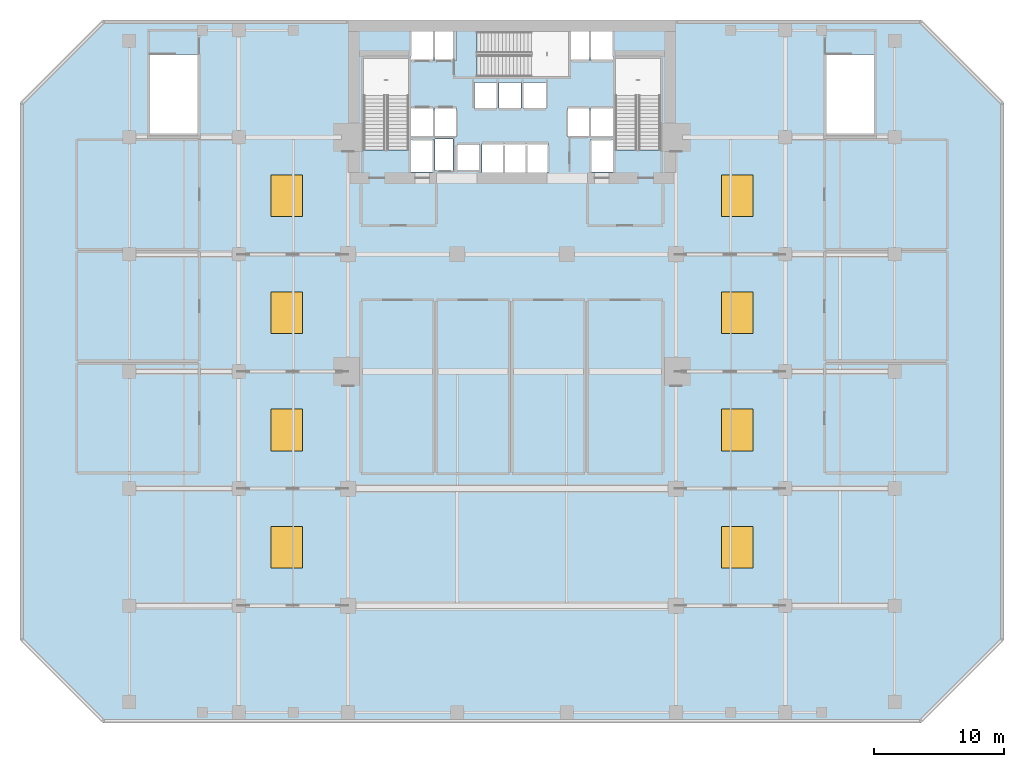
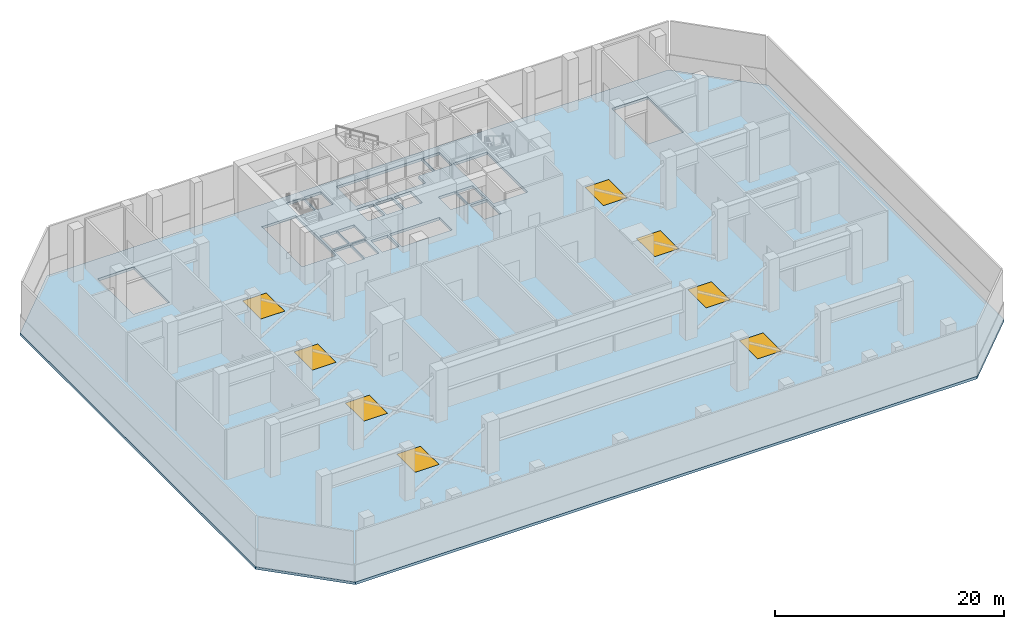
# One storey, part 4 of 15: 8 windows, 1 slab, 8 openings.
"""IFC4 building model written with IfcOpenShell, lengths in metres."""

import ifcopenshell
import ifcopenshell.guid

model = None  # the IFC model being written
_history = None  # IfcOwnerHistory: only IFC2X3 demands one
_inside = {}  # id of a spatial element -> (the spatial element, [elements in it])
_under = {}  # id of a project, library or spatial element -> (it, [spatial elements below it])
_declared = {}  # id of a project -> (the project, [libraries it declares])
_typed = {}  # id of a type object -> (the type object, [elements of that type])
_made_of = {}  # id of a material, layer set ... -> (it, [elements and type objects made of it])


def new_model(schema):
    """Start an empty IFC model of exactly this schema.

    Asked for "IFC4X3", IfcOpenShell would pick the latest addendum, in which some entities
    have other attributes; the version numbers below select the first issue.
    IFC2X3 requires an IfcOwnerHistory on every rooted entity: one is made here for all.
    """
    global model, _history
    if schema == "IFC4X3":
        model = ifcopenshell.file(schema_version=(4, 3, 0, 0))
    else:
        model = ifcopenshell.file(schema=schema)
    _inside.clear()
    _under.clear()
    _declared.clear()
    _typed.clear()
    _made_of.clear()
    _history = None
    if model.schema == "IFC2X3":
        org = make("IfcOrganization", Name="unknown")
        user = make(
            "IfcPersonAndOrganization",
            ThePerson=make("IfcPerson", FamilyName="unknown"),
            TheOrganization=org,
        )
        app = make(
            "IfcApplication",
            ApplicationDeveloper=org,
            Version="unknown",
            ApplicationFullName="unknown",
            ApplicationIdentifier="unknown",
        )
        _history = make(
            "IfcOwnerHistory",
            OwningUser=user,
            OwningApplication=app,
            ChangeAction="ADDED",
            CreationDate=0,
        )
    return model


def make(cls, **values):
    """One entity of the class cls with the attributes given. An attribute that is None is left unset."""
    return model.create_entity(
        cls, **{name: value for name, value in values.items() if value is not None}
    )


def rooted(cls, **values):
    """An entity with a GlobalId (a new one), such as an element, a storey or a relation."""
    return make(cls, GlobalId=ifcopenshell.guid.new(), OwnerHistory=_history, **values)


def si_unit(unit_type, name, prefix=None):
    """IfcSIUnit, for example si_unit("LENGTHUNIT", "METRE", prefix="MILLI")."""
    return make("IfcSIUnit", UnitType=unit_type, Prefix=prefix, Name=name)


def assignment(units):
    """IfcUnitAssignment: the units of a project."""
    return None if units is None else make("IfcUnitAssignment", Units=units)


def point(xyz):
    """IfcCartesianPoint."""
    return None if xyz is None else make("IfcCartesianPoint", Coordinates=xyz)


def direction(xyz):
    """IfcDirection."""
    return None if xyz is None else make("IfcDirection", DirectionRatios=xyz)


def frame(location, z_axis=None, x_axis=None):
    """IfcAxis2Placement3D, a coordinate frame: its origin and axes. An axis left out is left unset."""
    return make(
        "IfcAxis2Placement3D",
        Location=point(location),
        Axis=direction(z_axis),
        RefDirection=direction(x_axis),
    )


def frame_2d(location, x_axis=None):
    """IfcAxis2Placement2D, a coordinate frame in the plane: its origin and x axis."""
    return make(
        "IfcAxis2Placement2D", Location=point(location), RefDirection=direction(x_axis)
    )


def origin():
    """The frame at (0, 0, 0) with its axes left unset."""
    return frame((0.0, 0.0, 0.0))


def origin_2d():
    """The frame at (0, 0) in the plane with its x axis left unset."""
    return frame_2d((0.0, 0.0))


def place(relative_to, where):
    """IfcLocalPlacement: puts the frame where relative to a parent placement (None: the world)."""
    return make(
        "IfcLocalPlacement", PlacementRelTo=relative_to, RelativePlacement=where
    )


def context(
    kind, dimensions, precision=None, world=None, true_north=None, identifier=None
):
    """IfcGeometricRepresentationContext, for example the 3D "Model" context."""
    return make(
        "IfcGeometricRepresentationContext",
        ContextIdentifier=identifier,
        ContextType=kind,
        CoordinateSpaceDimension=dimensions,
        Precision=precision,
        WorldCoordinateSystem=world,
        TrueNorth=true_north,
    )


def subcontext(parent, identifier, kind, view, scale=None):
    """IfcGeometricRepresentationSubContext, for example "Body" below "Model"."""
    return make(
        "IfcGeometricRepresentationSubContext",
        ContextIdentifier=identifier,
        ContextType=kind,
        ParentContext=parent,
        TargetScale=scale,
        TargetView=view,
    )


def project(units=None, contexts=None):
    """IfcProject with its units and contexts."""
    return rooted(
        "IfcProject",
        Name="project",
        RepresentationContexts=contexts,
        UnitsInContext=assignment(units),
    )


def spatial(cls, under=None, at=None, **own):
    """A site, building, storey or space (cls), placed at a placement, below another one or the project."""
    s = rooted(cls, ObjectPlacement=at, **own)
    if under is not None:
        _under.setdefault(under.id(), (under, []))[1].append(s)
    return s


def polyline(points):
    """IfcPolyline through the points."""
    return make("IfcPolyline", Points=[point(p) for p in points])


def profile(cls, at=None, kind="AREA", **sizes):
    """A parametric profile (cls). Its sizes go by their IFC names, for example OverallWidth=200.0."""
    return make(cls, ProfileType=kind, Position=at, **sizes)


def rectangle(**sizes):
    """IfcRectangleProfileDef."""
    return profile("IfcRectangleProfileDef", **sizes)


def outline(outer, holes=None, kind="AREA"):
    """IfcArbitraryClosedProfileDef: a profile drawn as a closed curve; with holes, ...WithVoids."""
    if holes is None:
        return make("IfcArbitraryClosedProfileDef", ProfileType=kind, OuterCurve=outer)
    return make(
        "IfcArbitraryProfileDefWithVoids",
        ProfileType=kind,
        OuterCurve=outer,
        InnerCurves=holes,
    )


def extrude(swept, where, along, depth):
    """IfcExtrudedAreaSolid: the profile swept, set in the frame where, extruded along a direction by depth."""
    return make(
        "IfcExtrudedAreaSolid",
        SweptArea=swept,
        Position=where,
        ExtrudedDirection=direction(along),
        Depth=depth,
    )


def shape(context_of_items, identifier, shape_type, items):
    """IfcShapeRepresentation: the items that make up one representation, for example the "Body"."""
    return make(
        "IfcShapeRepresentation",
        ContextOfItems=context_of_items,
        RepresentationIdentifier=identifier,
        RepresentationType=shape_type,
        Items=items,
    )


def material(Name=None, Category=None):
    """IfcMaterial."""
    return make("IfcMaterial", Name=Name, Category=Category)


def layer(
    of_material, thickness, ventilated=None, Name=None, Category=None, Priority=None
):
    """IfcMaterialLayer: one layer of a wall or slab, of a material (None: an air gap)."""
    return make(
        "IfcMaterialLayer",
        Material=of_material,
        LayerThickness=thickness,
        IsVentilated=ventilated,
        Name=Name,
        Category=Category,
        Priority=Priority,
    )


def layer_set(layers, Name=None):
    """IfcMaterialLayerSet."""
    return make("IfcMaterialLayerSet", MaterialLayers=layers, LayerSetName=Name)


def made_of(thing, what):
    """Note that an element or type object is made of a material, layer set ...; save() writes the relation."""
    if what is not None:
        _made_of.setdefault(what.id(), (what, []))[1].append(thing)
    return thing


def type_object(cls, material=None, **own):
    """A type object (cls), such as IfcWallType, which elements share."""
    return made_of(rooted(cls, **own), material)


def element(
    cls,
    number,
    at=None,
    inside=None,
    cuts=None,
    type_object=None,
    material=None,
    context=None,
    identifier="Body",
    shape_type=None,
    held_by="IfcProductDefinitionShape",
    body=None,
    shapes=None,
    **own,
):
    """One element of the class cls, such as IfcWall. Its Tag is "e" and its number.

    at: its placement. inside: the storey or other place that contains it. cuts: it is an
    opening in that element (IfcRelVoidsElement). A single representation is given by context,
    identifier, shape_type and body (its items); several are given by shapes. held_by: the class
    of the entity that holds the representations. save() writes the other relations.
    """
    e = rooted(cls, Tag="e%d" % number, ObjectPlacement=at, **own)
    if body is not None:
        shapes = [shape(context, identifier, shape_type, body)]
    if shapes is not None:
        e.Representation = make(held_by, Representations=shapes)
    if inside is not None:
        _inside.setdefault(inside.id(), (inside, []))[1].append(e)
    if cuts is not None:
        rooted(
            "IfcRelVoidsElement", RelatingBuildingElement=cuts, RelatedOpeningElement=e
        )
    if type_object is not None:
        _typed.setdefault(type_object.id(), (type_object, []))[1].append(e)
    return made_of(e, material)


def fill(opening, filler):
    """IfcRelFillsElement: the door or window that sits in an opening."""
    return rooted(
        "IfcRelFillsElement",
        RelatingOpeningElement=opening,
        RelatedBuildingElement=filler,
    )


def aggregate(whole, parts):
    """IfcRelAggregates: a whole, such as a stair, and the parts it consists of."""
    return rooted("IfcRelAggregates", RelatingObject=whole, RelatedObjects=parts)


def save(model, path):
    """Write the relations noted so far, then the file.

    IfcRelAggregates (storeys below a building ...), IfcRelContainedInSpatialStructure (elements
    in a storey), IfcRelDefinesByType, IfcRelAssociatesMaterial and IfcRelDeclares: one each for
    every whole, place, type object, material and project.
    """
    for whole, parts in _under.values():
        aggregate(whole, parts)
    for where, things in _inside.values():
        rooted(
            "IfcRelContainedInSpatialStructure",
            RelatedElements=things,
            RelatingStructure=where,
        )
    for kind, things in _typed.values():
        rooted("IfcRelDefinesByType", RelatedObjects=things, RelatingType=kind)
    for what, things in _made_of.values():
        rooted("IfcRelAssociatesMaterial", RelatedObjects=things, RelatingMaterial=what)
    for by, libraries in _declared.values():
        rooted("IfcRelDeclares", RelatingContext=by, RelatedDefinitions=libraries)
    model.write(path)


model = new_model("IFC4")

# Units and contexts
model_context = context("Model", 3, precision=1e-05, world=origin(), true_north=direction((0.0, 1.0)))
body_context = subcontext(model_context, "Body", "Model", "MODEL_VIEW")
ifc_project = project(units=[si_unit("LENGTHUNIT", "METRE"), si_unit("AREAUNIT", "SQUARE_METRE"), si_unit("VOLUMEUNIT", "CUBIC_METRE"), si_unit("PLANEANGLEUNIT", "RADIAN"), si_unit("MASSUNIT", "GRAM", prefix="KILO")], contexts=[model_context])

# Site, building, storey
site_placement = place(None, origin())
site = spatial("IfcSite", under=ifc_project, at=site_placement, CompositionType="ELEMENT")
building_placement = place(site_placement, origin())
building = spatial("IfcBuilding", under=site, at=building_placement, Name="Maruvema Waterfront Hotel and Observation Tower", CompositionType="ELEMENT")
storey_placement = place(building_placement, frame((0.0, 0.0, 21.35009765625)))
storey = spatial("IfcBuildingStorey", under=building, at=storey_placement, Name="L04", CompositionType="ELEMENT", Elevation=21.35009765625)

# Slab, openings, windows
ifc_material_1 = material(Name="Concrete C50/60", Category="concrete")
ifc_layer = layer(ifc_material_1, 0.280029296875, Name="Reinforced Concrete Floor Slab 280 mm")
ifc_layer_set = layer_set([ifc_layer], Name="Concrete C50/60")
slab_type = type_object("IfcSlabType", Name="Reinforced Concrete Floor Slab 280 mm", PredefinedType="FLOOR", material=ifc_layer_set)
slab_placement = place(storey_placement, frame((0.0, 0.0, -0.280029296875)))
slab = element("IfcSlab", 1, at=slab_placement, inside=storey, type_object=slab_type, Name="L04 Structural Floor Slab", PredefinedType="FLOOR", context=body_context, shape_type="SweptSolid", body=[
    extrude(outline(polyline([(6.39990234375, 0.0), (69.199951171875, 0.0), (75.60009765625, 6.39990234375), (75.60009765625, 47.60009765625), (69.199951171875, 54.0), (6.39990234375, 54.0), (0.0, 47.60009765625), (0.0, 6.39990234375), (6.39990234375, 0.0)]), holes=[polyline([(13.64990234375, 45.10009765625), (10.0, 45.10009765625), (10.0, 51.349365234375), (13.64990234375, 51.349365234375), (13.64990234375, 45.10009765625)]), polyline([(26.39990234375, 51.050048828125), (29.85009765625, 51.050048828125), (29.85009765625, 44.00048828125), (26.39990234375, 44.00048828125), (26.39990234375, 51.050048828125)]), polyline([(30.050048828125, 44.800048828125), (31.75, 44.800048828125), (31.75, 42.320068359375), (30.050048828125, 42.320068359375), (30.050048828125, 44.800048828125)]), polyline([(31.75, 47.25), (31.75, 45.050048828125), (30.050048828125, 45.050048828125), (30.050048828125, 47.25), (31.75, 47.25)]), polyline([(31.75, 53.10009765625), (31.75, 50.89990234375), (30.050048828125, 50.89990234375), (30.050048828125, 53.10009765625), (31.75, 53.10009765625)]), polyline([(33.280029296875, 44.860107421875), (33.280029296875, 42.43994140625), (31.8798828125, 42.43994140625), (31.8798828125, 44.860107421875), (33.280029296875, 44.860107421875)]), polyline([(31.85009765625, 47.25), (33.550048828125, 47.25), (33.550048828125, 45.050048828125), (31.85009765625, 45.050048828125), (31.85009765625, 47.25)]), polyline([(31.85009765625, 53.10009765625), (33.550048828125, 53.10009765625), (33.550048828125, 50.89990234375), (31.85009765625, 50.89990234375), (31.85009765625, 53.10009765625)]), polyline([(33.60009765625, 44.449951171875), (35.300048828125, 44.449951171875), (35.300048828125, 42.449951171875), (33.60009765625, 42.449951171875), (33.60009765625, 44.449951171875)]), polyline([(36.60009765625, 49.199951171875), (36.60009765625, 47.199951171875), (34.89990234375, 47.199951171875), (34.89990234375, 49.199951171875), (36.60009765625, 49.199951171875)]), polyline([(36.800048828125, 49.199951171875), (38.5, 49.199951171875), (38.5, 47.199951171875), (36.800048828125, 47.199951171875), (36.800048828125, 49.199951171875)]), polyline([(35.5, 44.5), (40.60009765625, 44.5), (40.60009765625, 42.300048828125), (35.5, 42.300048828125), (35.5, 44.5)]), polyline([(43.75, 50.89990234375), (42.14990234375, 50.89990234375), (42.14990234375, 49.64990234375), (35.1005859375, 49.64990234375), (35.1005859375, 53.10009765625), (43.75, 53.10009765625), (43.75, 50.89990234375)]), polyline([(40.39990234375, 49.199951171875), (40.39990234375, 47.199951171875), (38.699951171875, 47.199951171875), (38.699951171875, 49.199951171875), (40.39990234375, 49.199951171875)]), polyline([(43.75, 47.25), (43.75, 45.050048828125), (42.050048828125, 45.050048828125), (42.050048828125, 47.25), (43.75, 47.25)]), polyline([(43.85009765625, 44.800048828125), (45.550048828125, 44.800048828125), (45.550048828125, 42.320068359375), (43.85009765625, 42.320068359375), (43.85009765625, 44.800048828125)]), polyline([(45.550048828125, 47.25), (45.550048828125, 45.050048828125), (43.85009765625, 45.050048828125), (43.85009765625, 47.25), (45.550048828125, 47.25)]), polyline([(45.550048828125, 53.10009765625), (45.550048828125, 50.89990234375), (43.85009765625, 50.89990234375), (43.85009765625, 53.10009765625), (45.550048828125, 53.10009765625)]), polyline([(45.75, 44.00048828125), (45.75, 51.050048828125), (49.199951171875, 51.050048828125), (49.199951171875, 44.00048828125), (45.75, 44.00048828125)]), polyline([(65.60009765625, 45.10009765625), (61.949951171875, 45.10009765625), (61.949951171875, 51.349365234375), (65.60009765625, 51.349365234375), (65.60009765625, 45.10009765625)])]), origin(), (0.0, 0.0, 1.0), 0.280029296875),
])
opening_1_placement = place(slab_placement, frame((20.5, 13.5, 0.0)))
opening_1 = element("IfcOpeningElement", 2, at=opening_1_placement, cuts=slab, Name="Opening SK-01", PredefinedType="OPENING", context=body_context, shape_type="SweptSolid", body=[
    extrude(rectangle(XDim=2.39990234375, YDim=3.199951171875, at=origin_2d()), origin(), (0.0, 0.0, 1.0), 0.280029296875),
])
opening_2_placement = place(slab_placement, frame((20.5, 22.5, 0.0)))
opening_2 = element("IfcOpeningElement", 3, at=opening_2_placement, cuts=slab, Name="Opening SK-01", PredefinedType="OPENING", context=body_context, shape_type="SweptSolid", body=[
    extrude(rectangle(XDim=2.39990234375, YDim=3.199951171875, at=origin_2d()), origin(), (0.0, 0.0, 1.0), 0.280029296875),
])
opening_3_placement = place(slab_placement, frame((20.5, 31.5, 0.0)))
opening_3 = element("IfcOpeningElement", 4, at=opening_3_placement, cuts=slab, Name="Opening SK-01", PredefinedType="OPENING", context=body_context, shape_type="SweptSolid", body=[
    extrude(rectangle(XDim=2.39990234375, YDim=3.199951171875, at=origin_2d()), origin(), (0.0, 0.0, 1.0), 0.280029296875),
])
opening_4_placement = place(slab_placement, frame((20.5, 40.5, 0.0)))
opening_4 = element("IfcOpeningElement", 5, at=opening_4_placement, cuts=slab, Name="Opening SK-01", PredefinedType="OPENING", context=body_context, shape_type="SweptSolid", body=[
    extrude(rectangle(XDim=2.39990234375, YDim=3.199951171875, at=origin_2d()), origin(), (0.0, 0.0, 1.0), 0.280029296875),
])
opening_5_placement = place(slab_placement, frame((55.10009765625, 13.5, 0.0)))
opening_5 = element("IfcOpeningElement", 6, at=opening_5_placement, cuts=slab, Name="Opening SK-01", PredefinedType="OPENING", context=body_context, shape_type="SweptSolid", body=[
    extrude(rectangle(XDim=2.39990234375, YDim=3.199951171875, at=origin_2d()), origin(), (0.0, 0.0, 1.0), 0.280029296875),
])
opening_6_placement = place(slab_placement, frame((55.10009765625, 22.5, 0.0)))
opening_6 = element("IfcOpeningElement", 7, at=opening_6_placement, cuts=slab, Name="Opening SK-01", PredefinedType="OPENING", context=body_context, shape_type="SweptSolid", body=[
    extrude(rectangle(XDim=2.39990234375, YDim=3.199951171875, at=origin_2d()), origin(), (0.0, 0.0, 1.0), 0.280029296875),
])
opening_7_placement = place(slab_placement, frame((55.10009765625, 31.5, 0.0)))
opening_7 = element("IfcOpeningElement", 8, at=opening_7_placement, cuts=slab, Name="Opening SK-01", PredefinedType="OPENING", context=body_context, shape_type="SweptSolid", body=[
    extrude(rectangle(XDim=2.39990234375, YDim=3.199951171875, at=origin_2d()), origin(), (0.0, 0.0, 1.0), 0.280029296875),
])
opening_8_placement = place(slab_placement, frame((55.10009765625, 40.5, 0.0)))
opening_8 = element("IfcOpeningElement", 9, at=opening_8_placement, cuts=slab, Name="Opening SK-01", PredefinedType="OPENING", context=body_context, shape_type="SweptSolid", body=[
    extrude(rectangle(XDim=2.39990234375, YDim=3.199951171875, at=origin_2d()), origin(), (0.0, 0.0, 1.0), 0.280029296875),
])
ifc_material_2 = material(Name="Laminated solar-control structural skylight glass", Category="glass")
window_type = type_object("IfcWindowType", Name="Podium Concourse Overhead Structural Skylight 2400x3200 mm", PartitioningType="SINGLE_PANEL", PredefinedType="SKYLIGHT", material=ifc_material_2)
window_1_placement = place(opening_1_placement, frame((0.0, 0.0, 0.22998046875)))
window_1 = element("IfcWindow", 10, at=window_1_placement, inside=storey, type_object=window_type, Name="Podium Foyer Structural Skylight 01", OverallHeight=3.199951171875, OverallWidth=2.39990234375, PartitioningType="SINGLE_PANEL", PredefinedType="SKYLIGHT", context=body_context, shape_type="SweptSolid", body=[
    extrude(rectangle(XDim=2.39990234375, YDim=3.199951171875, at=origin_2d()), origin(), (0.0, 0.0, 1.0), 0.050048828125),
])
fill(opening_1, window_1)
window_2_placement = place(opening_2_placement, frame((0.0, 0.0, 0.22998046875)))
window_2 = element("IfcWindow", 11, at=window_2_placement, inside=storey, type_object=window_type, Name="Podium Foyer Structural Skylight 02", OverallHeight=3.199951171875, OverallWidth=2.39990234375, PartitioningType="SINGLE_PANEL", PredefinedType="SKYLIGHT", context=body_context, shape_type="SweptSolid", body=[
    extrude(rectangle(XDim=2.39990234375, YDim=3.199951171875, at=origin_2d()), origin(), (0.0, 0.0, 1.0), 0.050048828125),
])
fill(opening_2, window_2)
window_3_placement = place(opening_3_placement, frame((0.0, 0.0, 0.22998046875)))
window_3 = element("IfcWindow", 12, at=window_3_placement, inside=storey, type_object=window_type, Name="Podium Foyer Structural Skylight 03", OverallHeight=3.199951171875, OverallWidth=2.39990234375, PartitioningType="SINGLE_PANEL", PredefinedType="SKYLIGHT", context=body_context, shape_type="SweptSolid", body=[
    extrude(rectangle(XDim=2.39990234375, YDim=3.199951171875, at=origin_2d()), origin(), (0.0, 0.0, 1.0), 0.050048828125),
])
fill(opening_3, window_3)
window_4_placement = place(opening_4_placement, frame((0.0, 0.0, 0.22998046875)))
window_4 = element("IfcWindow", 13, at=window_4_placement, inside=storey, type_object=window_type, Name="Podium Foyer Structural Skylight 04", OverallHeight=3.199951171875, OverallWidth=2.39990234375, PartitioningType="SINGLE_PANEL", PredefinedType="SKYLIGHT", context=body_context, shape_type="SweptSolid", body=[
    extrude(rectangle(XDim=2.39990234375, YDim=3.199951171875, at=origin_2d()), origin(), (0.0, 0.0, 1.0), 0.050048828125),
])
fill(opening_4, window_4)
window_5_placement = place(opening_5_placement, frame((0.0, 0.0, 0.22998046875)))
window_5 = element("IfcWindow", 14, at=window_5_placement, inside=storey, type_object=window_type, Name="Podium Foyer Structural Skylight 05", OverallHeight=3.199951171875, OverallWidth=2.39990234375, PartitioningType="SINGLE_PANEL", PredefinedType="SKYLIGHT", context=body_context, shape_type="SweptSolid", body=[
    extrude(rectangle(XDim=2.39990234375, YDim=3.199951171875, at=origin_2d()), origin(), (0.0, 0.0, 1.0), 0.050048828125),
])
fill(opening_5, window_5)
window_6_placement = place(opening_6_placement, frame((0.0, 0.0, 0.22998046875)))
window_6 = element("IfcWindow", 15, at=window_6_placement, inside=storey, type_object=window_type, Name="Podium Foyer Structural Skylight 06", OverallHeight=3.199951171875, OverallWidth=2.39990234375, PartitioningType="SINGLE_PANEL", PredefinedType="SKYLIGHT", context=body_context, shape_type="SweptSolid", body=[
    extrude(rectangle(XDim=2.39990234375, YDim=3.199951171875, at=origin_2d()), origin(), (0.0, 0.0, 1.0), 0.050048828125),
])
fill(opening_6, window_6)
window_7_placement = place(opening_7_placement, frame((0.0, 0.0, 0.22998046875)))
window_7 = element("IfcWindow", 16, at=window_7_placement, inside=storey, type_object=window_type, Name="Podium Foyer Structural Skylight 07", OverallHeight=3.199951171875, OverallWidth=2.39990234375, PartitioningType="SINGLE_PANEL", PredefinedType="SKYLIGHT", context=body_context, shape_type="SweptSolid", body=[
    extrude(rectangle(XDim=2.39990234375, YDim=3.199951171875, at=origin_2d()), origin(), (0.0, 0.0, 1.0), 0.050048828125),
])
fill(opening_7, window_7)
window_8_placement = place(opening_8_placement, frame((0.0, 0.0, 0.22998046875)))
window_8 = element("IfcWindow", 17, at=window_8_placement, inside=storey, type_object=window_type, Name="Podium Foyer Structural Skylight 08", OverallHeight=3.199951171875, OverallWidth=2.39990234375, PartitioningType="SINGLE_PANEL", PredefinedType="SKYLIGHT", context=body_context, shape_type="SweptSolid", body=[
    extrude(rectangle(XDim=2.39990234375, YDim=3.199951171875, at=origin_2d()), origin(), (0.0, 0.0, 1.0), 0.050048828125),
])
fill(opening_8, window_8)

save(model, "model.ifc")
